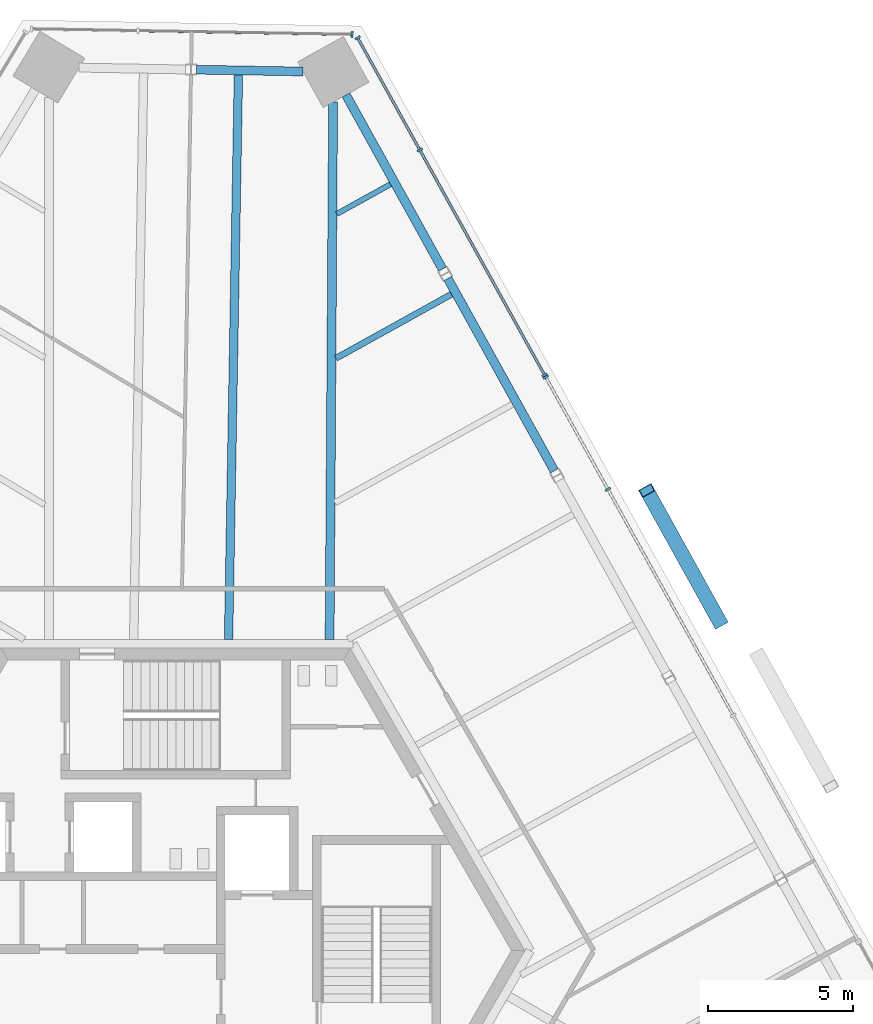
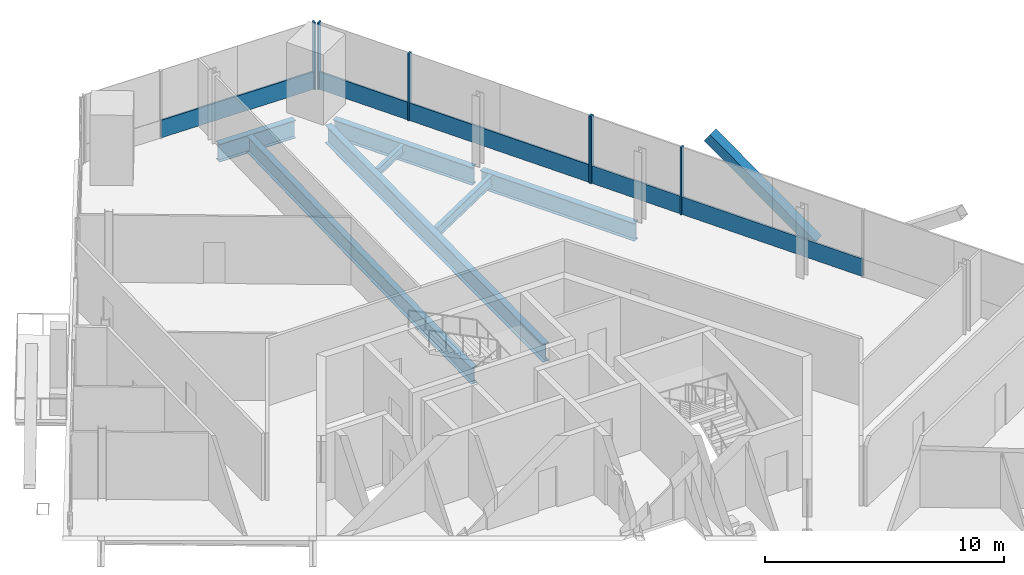
# One storey, part 9 of 18: 12 members, 7 beams, 3 elements without a shape of their own.
"""IFC4 building model written with IfcOpenShell, lengths in metres."""

from ifc_helpers import new_model, si_unit, direction, frame, origin, origin_2d, place, context, subcontext, project, spatial, rectangle, hollow_rectangle, i_section, extrude, source, transform, mapped, material, material_profile, profile_set, type_object, element, aggregate, save


model = new_model("IFC4")

# Units and contexts
model_context = context("Model", 3, precision=1e-05, world=origin(), true_north=direction((0.0, 1.0)))
body_context = subcontext(model_context, "Body", "Model", "MODEL_VIEW")
ifc_project = project(units=[si_unit("LENGTHUNIT", "METRE"), si_unit("AREAUNIT", "SQUARE_METRE"), si_unit("VOLUMEUNIT", "CUBIC_METRE"), si_unit("PLANEANGLEUNIT", "RADIAN"), si_unit("MASSUNIT", "GRAM", prefix="KILO")], contexts=[model_context])

# Site, building, storey
site_placement = place(None, origin())
site = spatial("IfcSite", under=ifc_project, at=site_placement, CompositionType="ELEMENT")
building_placement = place(site_placement, origin())
building = spatial("IfcBuilding", under=site, at=building_placement, Name="Triune Harvest Tower", CompositionType="ELEMENT")
storey_placement = place(building_placement, frame((0.0, 0.0, 197.89990234375)))
storey = spatial("IfcBuildingStorey", under=building, at=storey_placement, Name="L51", CompositionType="ELEMENT", Elevation=197.89990234375)

# Beams
ifc_material_1 = material(Name="Steel ASTM A992 Gr 50", Category="steel")
ifc_material_profile_1 = material_profile(ifc_material_1, i_section(OverallWidth=0.3046875, OverallDepth=0.914306640625, WebThickness=0.0166015625, FlangeThickness=0.02587890625, at=origin_2d()), Name="W36x160")
ifc_profile_set_1 = profile_set([ifc_material_profile_1], Name="Steel ASTM A992 Gr 50")
beam_type_1 = type_object("IfcBeamType", Name="SB-1 Spandrel beam W36x160", PredefinedType="SPANDREL", material=ifc_profile_set_1)
shared_shape_1 = source(origin(), body_context, "Body", "SweptSolid", [
    extrude(i_section(OverallWidth=0.3046875, OverallDepth=0.914306640625, WebThickness=0.0166015625, FlangeThickness=0.02587890625, at=origin_2d()), origin(), (0.0, 0.0, 1.0), 6.841796875),
])
beam_1_placement = place(storey_placement, frame((9.16943359375, 23.421875, -0.6171875), z_axis=(-0.484833781575, 0.87460631386, 0.0), x_axis=(-0.87460631386, -0.484833781575, 0.0)))
element("IfcBeam", 1, at=beam_1_placement, inside=storey, type_object=beam_type_1, Name="beam/L51/SB6", PredefinedType="SPANDREL", context=body_context, shape_type="MappedRepresentation", body=[
    mapped(shared_shape_1, transform((0.0, 0.0, 0.0), scale=1.0)),
])
shared_shape_2 = source(origin(), body_context, "Body", "SweptSolid", [
    extrude(i_section(OverallWidth=0.3046875, OverallDepth=0.914306640625, WebThickness=0.0166015625, FlangeThickness=0.02587890625, at=origin_2d()), origin(), (0.0, 0.0, 1.0), 7.556396484375),
])
beam_2_placement = place(storey_placement, frame((13.0126953125, 16.488525390625, -0.6171875), z_axis=(-0.484830726301, 0.874608007529, 0.0), x_axis=(-0.874608007529, -0.484830726301, 0.0)))
element("IfcBeam", 2, at=beam_2_placement, inside=storey, type_object=beam_type_1, Name="beam/L51/SB5", PredefinedType="SPANDREL", context=body_context, shape_type="MappedRepresentation", body=[
    mapped(shared_shape_2, transform((0.0, 0.0, 0.0), scale=1.0)),
])
shared_shape_3 = source(origin(), body_context, "Body", "SweptSolid", [
    extrude(i_section(OverallWidth=0.3046875, OverallDepth=0.914306640625, WebThickness=0.0166015625, FlangeThickness=0.02587890625, at=origin_2d()), origin(), (0.0, 0.0, 1.0), 3.66357421875),
])
beam_3_placement = place(storey_placement, frame((4.376953125, 30.211181640625, -0.6171875), z_axis=(-0.999847573959, 0.017459348466, 0.0), x_axis=(-0.017459348466, -0.999847573959, 0.0)))
element("IfcBeam", 3, at=beam_3_placement, inside=storey, type_object=beam_type_1, Name="beam/L51/SB7", PredefinedType="SPANDREL", context=body_context, shape_type="MappedRepresentation", body=[
    mapped(shared_shape_3, transform((0.0, 0.0, 0.0), scale=1.0)),
])
ifc_material_2 = material(Name="Steel ASTM A992 Gr 50", Category="steel")
ifc_material_profile_2 = material_profile(ifc_material_2, i_section(OverallWidth=0.307373046875, OverallDepth=0.922119140625, WebThickness=0.018310546875, FlangeThickness=0.030029296875, at=origin_2d()), Name="W36x182")
ifc_profile_set_2 = profile_set([ifc_material_profile_2], Name="Steel ASTM A992 Gr 50")
beam_type_2 = type_object("IfcBeamType", Name="HG-2 Hip girder W36x182", PredefinedType="BEAM", material=ifc_profile_set_2)
shared_shape_4 = source(origin(), body_context, "Body", "SweptSolid", [
    extrude(i_section(OverallWidth=0.307373046875, OverallDepth=0.922119140625, WebThickness=0.018310546875, FlangeThickness=0.030029296875, at=origin_2d()), origin(), (0.0, 0.0, 1.0), 18.463623046875),
])
beam_4_placement = place(storey_placement, frame((5.409423828125, 29.16015625, -0.620849609375), z_axis=(-0.006518869748, -0.999978751943, 0.0), x_axis=(0.999978751943, -0.006518869748, 0.0)))
element("IfcBeam", 4, at=beam_4_placement, inside=storey, type_object=beam_type_2, Name="beam/L51/HG3", PredefinedType="BEAM", context=body_context, shape_type="MappedRepresentation", body=[
    mapped(shared_shape_4, transform((0.0, 0.0, 0.0), scale=1.0)),
])
ifc_material_3 = material(Name="Steel ASTM A992 Gr 50", Category="steel")
ifc_material_profile_3 = material_profile(ifc_material_3, i_section(OverallWidth=0.2099609375, OverallDepth=0.535888671875, WebThickness=0.010986328125, FlangeThickness=0.017333984375, at=origin_2d()), Name="W21x68")
ifc_profile_set_3 = profile_set([ifc_material_profile_3], Name="Steel ASTM A992 Gr 50")
beam_type_3 = type_object("IfcBeamType", Name="JT-2 Floor joist W21x68", PredefinedType="JOIST", material=ifc_profile_set_3)
shared_shape_5 = source(origin(), body_context, "Body", "SweptSolid", [
    extrude(i_section(OverallWidth=0.2099609375, OverallDepth=0.535888671875, WebThickness=0.010986328125, FlangeThickness=0.017333984375, at=origin_2d()), origin(), (0.0, 0.0, 1.0), 4.538818359375),
])
beam_5_placement = place(storey_placement, frame((9.475341796875, 22.555419921875, -0.427978515625), z_axis=(-0.874621193693, -0.484806938423, 0.0), x_axis=(0.484806938423, -0.874621193693, 0.0)))
element("IfcBeam", 5, at=beam_5_placement, inside=storey, type_object=beam_type_3, Name="beam/L51/JT9", PredefinedType="JOIST", context=body_context, shape_type="MappedRepresentation", body=[
    mapped(shared_shape_5, transform((0.0, 0.0, 0.0), scale=1.0)),
])
ifc_material_4 = material(Name="Steel ASTM A992 Gr 50", Category="steel")
ifc_material_profile_4 = material_profile(ifc_material_4, i_section(OverallWidth=0.180908203125, OverallDepth=0.41650390625, WebThickness=0.010986328125, FlangeThickness=0.01806640625, at=origin_2d()), Name="W16x57")
ifc_profile_set_4 = profile_set([ifc_material_profile_4], Name="Steel ASTM A992 Gr 50")
beam_type_4 = type_object("IfcBeamType", Name="JT-1 Floor joist W16x57", PredefinedType="JOIST", material=ifc_profile_set_4)
shared_shape_6 = source(origin(), body_context, "Body", "SweptSolid", [
    extrude(i_section(OverallWidth=0.180908203125, OverallDepth=0.41650390625, WebThickness=0.010986328125, FlangeThickness=0.01806640625, at=origin_2d()), origin(), (0.0, 0.0, 1.0), 2.10498046875),
])
beam_6_placement = place(storey_placement, frame((7.379150390625, 26.33740234375, -0.3681640625), z_axis=(-0.874621898411, -0.484805667067, 0.0), x_axis=(0.484805667067, -0.874621898411, 0.0)))
element("IfcBeam", 6, at=beam_6_placement, inside=storey, type_object=beam_type_4, Name="beam/L51/JT10", PredefinedType="JOIST", context=body_context, shape_type="MappedRepresentation", body=[
    mapped(shared_shape_6, transform((0.0, 0.0, 0.0), scale=1.0)),
])
ifc_material_5 = material(Name="Steel ASTM A992 Gr 50", Category="steel")
ifc_material_profile_5 = material_profile(ifc_material_5, i_section(OverallWidth=0.2919921875, OverallDepth=0.8408203125, WebThickness=0.0146484375, FlangeThickness=0.021728515625, at=origin_2d()), Name="W33x130")
ifc_profile_set_5 = profile_set([ifc_material_profile_5], Name="Steel ASTM A992 Gr 50")
beam_type_5 = type_object("IfcBeamType", Name="JT-6 Floor joist W33x130", PredefinedType="JOIST", material=ifc_profile_set_5)
shared_shape_7 = source(origin(), body_context, "Body", "SweptSolid", [
    extrude(i_section(OverallWidth=0.2919921875, OverallDepth=0.8408203125, WebThickness=0.0146484375, FlangeThickness=0.021728515625, at=origin_2d()), origin(), (0.0, 0.0, 1.0), 19.403564453125),
])
beam_7_placement = place(storey_placement, frame((2.155029296875, 30.09765625, -0.580322265625), z_axis=(-0.017451567023, -0.999847709808, 0.0), x_axis=(0.999847709808, -0.017451567023, 0.0)))
element("IfcBeam", 7, at=beam_7_placement, inside=storey, type_object=beam_type_5, Name="beam/L51/JT11", PredefinedType="JOIST", context=body_context, shape_type="MappedRepresentation", body=[
    mapped(shared_shape_7, transform((0.0, 0.0, 0.0), scale=1.0)),
])

# Member
ifc_material_6 = material(Name="Steel ASTM A572 Gr 50", Category="steel")
ifc_material_profile_6 = material_profile(ifc_material_6, hollow_rectangle(XDim=0.5, YDim=0.5, WallThickness=0.030029296875, at=origin_2d()), Name="Box 500x500x30")
ifc_profile_set_6 = profile_set([ifc_material_profile_6], Name="Steel ASTM A572 Gr 50")
member_type_1 = type_object("IfcMemberType", Name="BR-3 Brace Box 500x500x30", PredefinedType="BRACE", material=ifc_profile_set_6)
shared_shape_8 = source(origin(), body_context, "Body", "SweptSolid", [
    extrude(hollow_rectangle(XDim=0.5, YDim=0.5, WallThickness=0.030029296875, at=origin_2d()), origin(), (0.0, 0.0, 1.0), 6.302978515625),
])
member_1_placement = place(storey_placement, frame((18.698974609375, 11.2880859375, 0.0), z_axis=(-0.397957445463, 0.717903766226, 0.571177777963), x_axis=(-0.874610982048, -0.484825360395, 0.0)))
element("IfcMember", 8, at=member_1_placement, inside=storey, type_object=member_type_1, Name="brace/B5-F1/d1/6", PredefinedType="BRACE", context=body_context, shape_type="MappedRepresentation", body=[
    mapped(shared_shape_8, transform((0.0, 0.0, 0.0), scale=1.0)),
])

# Curtain wall, members
ifc_material_7 = material(Name="Aluminium bronze anodised", Category="aluminium")
curtain_wall_type_1 = type_object("IfcCurtainWallType", Name="CW-7 Tower stick curtain wall with insulated spandrel infill", PredefinedType="NOTDEFINED", material=ifc_material_7)
curtain_wall_1_placement = place(storey_placement, origin())
curtain_wall_1 = element("IfcCurtainWall", 9, at=curtain_wall_1_placement, inside=storey, type_object=curtain_wall_type_1, Name="CW-7 B5-F1 L51 run 1001")
ifc_material_8 = material(Name="Aluminium bronze anodised", Category="aluminium")
ifc_material_profile_7 = material_profile(ifc_material_8, rectangle(XDim=0.199951171875, YDim=0.074951171875, at=origin_2d()), Name="MU-1 mullion 75 x 200")
ifc_profile_set_7 = profile_set([ifc_material_profile_7], Name="Aluminium bronze anodised")
member_type_2 = type_object("IfcMemberType", Name="MU-1 mullion 75 x 200", PredefinedType="MULLION", material=ifc_profile_set_7)
shared_shape_9 = source(origin(), body_context, "Body", "SweptSolid", [
    extrude(rectangle(XDim=0.199951171875, YDim=0.074951171875, at=origin_2d()), origin(), (0.0, 0.0, 1.0), 3.440185546875),
])
member_2_placement = place(storey_placement, frame((14.8525390625, 15.85498046875, 0.0), z_axis=(0.0, 0.0, 1.0), x_axis=(-0.874619845993, -0.484809369748, 0.0)))
member_2 = element("IfcMember", 10, at=member_2_placement, type_object=member_type_2, Name="CW-7 mullion B5-F1 1001.5", PredefinedType="MULLION", context=body_context, shape_type="MappedRepresentation", body=[
    mapped(shared_shape_9, transform((0.0, 0.0, 0.0), scale=1.0)),
])
member_3_placement = place(storey_placement, frame((12.716064453125, 19.709228515625, 0.0), z_axis=(0.0, 0.0, 1.0), x_axis=(-0.874619845993, -0.484809369748, 0.0)))
member_3 = element("IfcMember", 11, at=member_3_placement, type_object=member_type_2, Name="CW-7 mullion B5-F1 1001.6", PredefinedType="MULLION", context=body_context, shape_type="MappedRepresentation", body=[
    mapped(shared_shape_9, transform((0.0, 0.0, 0.0), scale=1.0)),
])

ifc_material_9 = material(Name="Aluminium bronze anodised", Category="aluminium")
curtain_wall_type_2 = type_object("IfcCurtainWallType", Name="CW-1 Tower stick curtain wall", PredefinedType="NOTDEFINED", material=ifc_material_9)
curtain_wall_2_placement = place(storey_placement, origin())
curtain_wall_2 = element("IfcCurtainWall", 12, at=curtain_wall_2_placement, inside=storey, type_object=curtain_wall_type_2, Name="CW-1 B5-F1 L51 run 2001")
member_4_placement = place(storey_placement, frame((12.679931640625, 19.77490234375, 0.0), z_axis=(0.0, 0.0, 1.0), x_axis=(-0.874620747076, -0.484807744147, 0.0)))
member_4 = element("IfcMember", 13, at=member_4_placement, type_object=member_type_2, Name="CW-1 mullion B5-F1 2001.1", PredefinedType="MULLION", context=body_context, shape_type="MappedRepresentation", body=[
    mapped(shared_shape_9, transform((0.0, 0.0, 0.0), scale=1.0)),
])
member_5_placement = place(storey_placement, frame((8.388671875, 27.51611328125, 0.0), z_axis=(0.0, 0.0, 1.0), x_axis=(-0.874620747076, -0.484807744147, 0.0)))
member_5 = element("IfcMember", 14, at=member_5_placement, type_object=member_type_2, Name="CW-1 mullion B5-F1 2001.3", PredefinedType="MULLION", context=body_context, shape_type="MappedRepresentation", body=[
    mapped(shared_shape_9, transform((0.0, 0.0, 0.0), scale=1.0)),
])
member_6_placement = place(storey_placement, frame((6.252197265625, 31.370361328125, 0.0), z_axis=(0.0, 0.0, 1.0), x_axis=(-0.874620747076, -0.484807744147, 0.0)))
member_6 = element("IfcMember", 15, at=member_6_placement, type_object=member_type_2, Name="CW-1 mullion B5-F1 2001.4", PredefinedType="MULLION", context=body_context, shape_type="MappedRepresentation", body=[
    mapped(shared_shape_9, transform((0.0, 0.0, 0.0), scale=1.0)),
])

curtain_wall_3_placement = place(storey_placement, origin())
curtain_wall_3 = element("IfcCurtainWall", 16, at=curtain_wall_3_placement, inside=storey, type_object=curtain_wall_type_2, Name="CW-1 B5-F2 L51 run 1")
member_7_placement = place(storey_placement, frame((6.06298828125, 31.484130859375, 0.0), z_axis=(0.0, 0.0, 1.0), x_axis=(-0.017446318452, -0.999847801404, 0.0)))
member_7 = element("IfcMember", 17, at=member_7_placement, type_object=member_type_2, Name="CW-1 mullion B5-F2 1.1", PredefinedType="MULLION", context=body_context, shape_type="MappedRepresentation", body=[
    mapped(shared_shape_9, transform((0.0, 0.0, 0.0), scale=1.0)),
])
ifc_material_10 = material(Name="Aluminium bronze anodised", Category="aluminium")
ifc_material_profile_8 = material_profile(ifc_material_10, rectangle(XDim=0.090087890625, YDim=0.89990234375, at=origin_2d()), Name="TR-1 transom 90 x 900")
ifc_profile_set_8 = profile_set([ifc_material_profile_8], Name="Aluminium bronze anodised")
member_type_3 = type_object("IfcMemberType", Name="TR-1 transom 90 x 900", PredefinedType="USERDEFINED", material=ifc_profile_set_8)
shared_shape_10 = source(origin(), body_context, "Body", "SweptSolid", [
    extrude(rectangle(XDim=0.090087890625, YDim=0.89990234375, at=origin_2d()), origin(), (0.0, 0.0, 1.0), 7.287841796875),
])
member_8_placement = place(storey_placement, frame((6.025634765625, 31.48486328125, 0.4501953125), z_axis=(-0.999848258084, 0.017420126456, 0.0), x_axis=(-0.017420126456, -0.999848258084, 0.0)))
member_8 = element("IfcMember", 18, at=member_8_placement, type_object=member_type_3, Name="CW-1 transom B5-F2 1.1", ObjectType="TRANSOM", PredefinedType="USERDEFINED", context=body_context, shape_type="MappedRepresentation", body=[
    mapped(shared_shape_10, transform((0.0, 0.0, 0.0), scale=1.0)),
])
aggregate(curtain_wall_3, [member_7, member_8])

# Member
shared_shape_11 = source(origin(), body_context, "Body", "SweptSolid", [
    extrude(rectangle(XDim=0.090087890625, YDim=0.89990234375, at=origin_2d()), origin(), (0.0, 0.0, 1.0), 8.776123046875),
])
member_9_placement = place(storey_placement, frame((12.66162109375, 19.8076171875, 0.4501953125), z_axis=(-0.484799478491, 0.874625328729, 0.0), x_axis=(-0.874625328729, -0.484799478491, 0.0)))
member_9 = element("IfcMember", 19, at=member_9_placement, type_object=member_type_3, Name="CW-1 transom B5-F1 2001.1", ObjectType="TRANSOM", PredefinedType="USERDEFINED", context=body_context, shape_type="MappedRepresentation", body=[
    mapped(shared_shape_11, transform((0.0, 0.0, 0.0), scale=1.0)),
])

shared_shape_12 = source(origin(), body_context, "Body", "SweptSolid", [
    extrude(rectangle(XDim=0.090087890625, YDim=0.89990234375, at=origin_2d()), origin(), (0.0, 0.0, 1.0), 8.8134765625),
])
member_10_placement = place(storey_placement, frame((19.143798828125, 8.11376953125, 0.4501953125), z_axis=(-0.484814833127, 0.874616817572, 0.0), x_axis=(-0.874616817572, -0.484814833127, 0.0)))
member_10 = element("IfcMember", 20, at=member_10_placement, type_object=member_type_3, Name="CW-7 transom B5-F1 1001.2", ObjectType="TRANSOM", PredefinedType="USERDEFINED", context=body_context, shape_type="MappedRepresentation", body=[
    mapped(shared_shape_12, transform((0.0, 0.0, 0.0), scale=1.0)),
])

shared_shape_13 = source(origin(), body_context, "Body", "SweptSolid", [
    extrude(rectangle(XDim=0.090087890625, YDim=0.89990234375, at=origin_2d()), origin(), (0.0, 0.0, 1.0), 4.33203125),
])
member_11_placement = place(storey_placement, frame((14.83447265625, 15.8876953125, 0.4501953125), z_axis=(-0.484795730824, 0.874627406028, 0.0), x_axis=(-0.874627406028, -0.484795730824, 0.0)))
member_11 = element("IfcMember", 21, at=member_11_placement, type_object=member_type_3, Name="CW-7 transom B5-F1 1001.3", ObjectType="TRANSOM", PredefinedType="USERDEFINED", context=body_context, shape_type="MappedRepresentation", body=[
    mapped(shared_shape_13, transform((0.0, 0.0, 0.0), scale=1.0)),
])

aggregate(curtain_wall_1, [member_2, member_3, member_10, member_11])

member_12_placement = place(storey_placement, frame((8.37060546875, 27.548828125, 0.4501953125), z_axis=(-0.484795730824, 0.874627406028, 0.0), x_axis=(-0.874627406028, -0.484795730824, 0.0)))
member_12 = element("IfcMember", 22, at=member_12_placement, type_object=member_type_3, Name="CW-1 transom B5-F1 2001.2", ObjectType="TRANSOM", PredefinedType="USERDEFINED", context=body_context, shape_type="MappedRepresentation", body=[
    mapped(shared_shape_13, transform((0.0, 0.0, 0.0), scale=1.0)),
])

aggregate(curtain_wall_2, [member_4, member_5, member_6, member_9, member_12])

save(model, "model.ifc")
